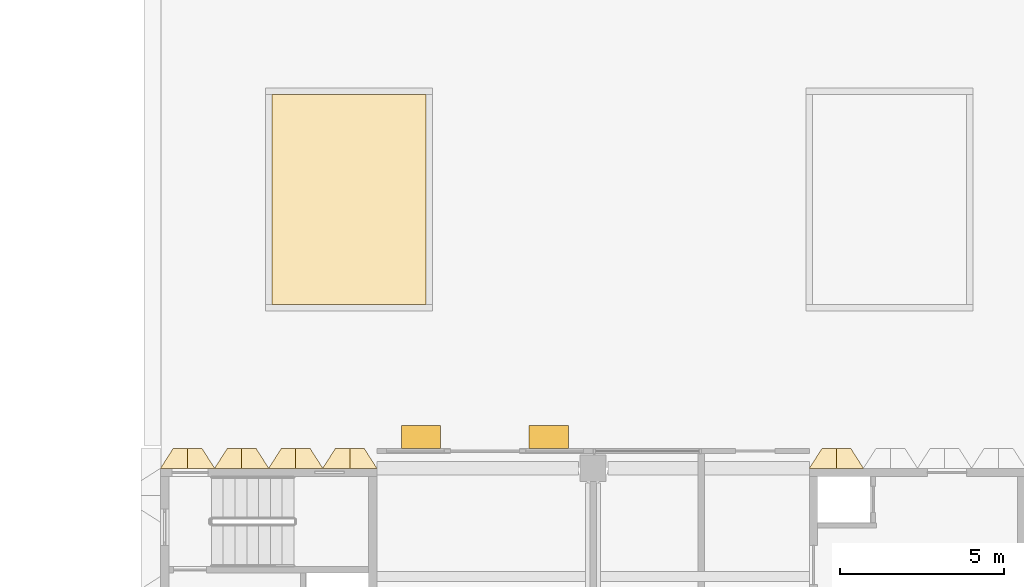
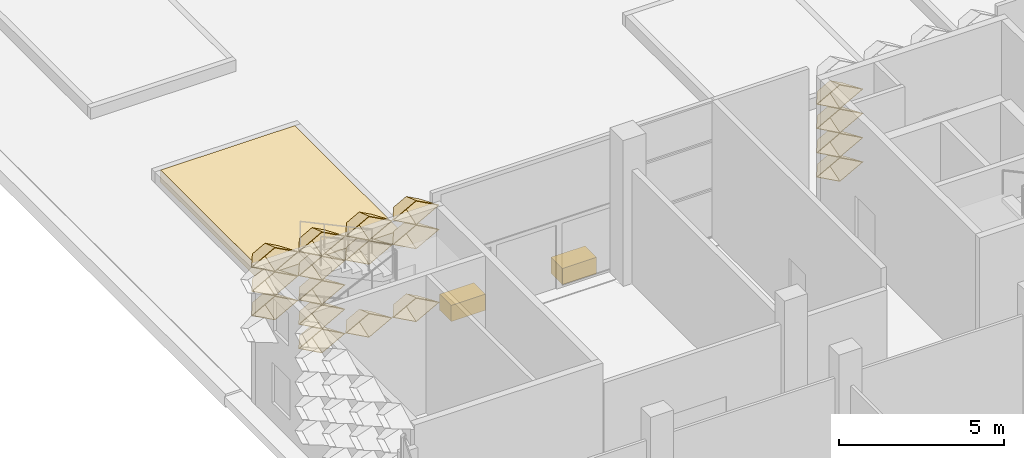
# One storey, part 52 of 85: 21 coverings.
"""IFC4 building model written with IfcOpenShell, lengths in metres."""

from ifc_helpers import new_model, entity, si_unit, direction, frame, origin, origin_2d, place, context, subcontext, project, spatial, polyline, rectangle, outline, extrude, material, layer, layer_set, type_object, element, save


model = new_model("IFC4")

# Units and contexts
model_context = context("Model", 3, precision=1e-05, world=origin(), true_north=direction((0.0, 1.0)))
body_context = subcontext(model_context, "Body", "Model", "MODEL_VIEW")
ifc_project = project(units=[si_unit("LENGTHUNIT", "METRE"), si_unit("AREAUNIT", "SQUARE_METRE"), si_unit("VOLUMEUNIT", "CUBIC_METRE"), si_unit("PLANEANGLEUNIT", "RADIAN"), si_unit("MASSUNIT", "GRAM", prefix="KILO")], contexts=[model_context])

# Site, building, storey
site_placement = place(None, origin())
site = spatial("IfcSite", under=ifc_project, at=site_placement, CompositionType="ELEMENT")
building_placement = place(site_placement, origin())
building = spatial("IfcBuilding", under=site, at=building_placement, Name="Lantern Court Research Institute", CompositionType="ELEMENT")
storey_placement = place(building_placement, origin())
storey = spatial("IfcBuildingStorey", under=building, at=storey_placement, Name="L00", CompositionType="ELEMENT", Elevation=0.0)

# Coverings
ifc_material_1 = material(Name="Glass fibre reinforced concrete cladding", Category="concrete")
ifc_layer_1 = layer(ifc_material_1, 0.699951171875)
ifc_layer_set_1 = layer_set([ifc_layer_1], Name="Glass fibre reinforced concrete cladding")
covering_type_1 = type_object("IfcCoveringType", Name="Entrance planter 700 glass fibre reinforced concrete", PredefinedType="CLADDING", material=ifc_layer_set_1)
for number, where, z_axis, x_axis, name in (
    (1, (7.949951171875, 24.050048828125, 0.0), (0.0, 0.0, 1.0), (1.0, 0.0, 0.0), "Entrance planter 7"),
    (2, (11.85009765625, 24.050048828125, 0.0), (0.0, 0.0, 1.0), (1.0, 0.0, 0.0), "Entrance planter 8"),
):
    element("IfcCovering", number, at=place(storey_placement, frame(where, z_axis=z_axis, x_axis=x_axis)), inside=storey, type_object=covering_type_1, Name=name, PredefinedType="CLADDING", context=body_context, shape_type="SweptSolid", body=[
        extrude(rectangle(XDim=1.199951171875, YDim=0.699951171875, at=origin_2d()), origin(), (0.0, 0.0, 1.0), 0.60009765625),
    ])
ifc_material_2 = material(Name="Anodised aluminium", Category="aluminium")
ifc_layer_2 = layer(ifc_material_2, 0.01611328125)
ifc_layer_set_2 = layer_set([ifc_layer_2], Name="Anodised aluminium")
covering_type_2 = type_object("IfcCoveringType", Name="Fin cassette 1650 x 900 x 600 aluminium", PredefinedType="CLADDING", material=ifc_layer_set_2)
covering_1_placement = place(storey_placement, frame((2.47509765625, 23.10009765625, 1.35009765625), z_axis=(0.0, 1.0, 0.0), x_axis=(-1.0, 0.0, 0.0)))
cartesian_point_1 = entity("IfcCartesianPoint", [0.824951171875, 0.0])
cartesian_point_2 = entity("IfcCartesianPoint", [0.79150390625, 0.0])
cartesian_point_3 = entity("IfcCartesianPoint", [0.44189453125, 0.0])
cartesian_point_4 = entity("IfcCartesianPoint", [0.43359375, 0.0])
element("IfcCovering", 3, at=covering_1_placement, inside=storey, type_object=covering_type_2, Name="Fin cassette V4N-L00 2.2", PredefinedType="CLADDING", context=body_context, shape_type="SweptSolid", body=[
    entity("IfcExtrudedAreaSolidTapered", entity("IfcArbitraryProfileDefWithVoids", "AREA", None, entity("IfcPolyline", [cartesian_point_1, entity("IfcCartesianPoint", [0.0, 0.449951171875]), entity("IfcCartesianPoint", [-0.824951171875, 0.0]), entity("IfcCartesianPoint", [0.0, -0.449951171875]), cartesian_point_1]), [entity("IfcPolyline", [cartesian_point_2, entity("IfcCartesianPoint", [0.0, 0.431884765625]), entity("IfcCartesianPoint", [-0.79150390625, 0.0]), entity("IfcCartesianPoint", [0.0, -0.431884765625]), cartesian_point_2])]), entity("IfcAxis2Placement3D", entity("IfcCartesianPoint", [0.0, 0.0, 0.0])), entity("IfcDirection", [0.0, 0.0, 1.0]), 0.60009765625, entity("IfcArbitraryProfileDefWithVoids", "AREA", None, entity("IfcPolyline", [cartesian_point_3, entity("IfcCartesianPoint", [0.0, 0.240966796875]), entity("IfcCartesianPoint", [-0.44189453125, 0.0]), entity("IfcCartesianPoint", [0.0, -0.240966796875]), cartesian_point_3]), [entity("IfcPolyline", [cartesian_point_4, entity("IfcCartesianPoint", [0.0, 0.236572265625]), entity("IfcCartesianPoint", [-0.43359375, 0.0]), entity("IfcCartesianPoint", [0.0, -0.236572265625]), cartesian_point_4])])),
])
covering_2_placement = place(storey_placement, frame((4.125, 23.10009765625, 1.35009765625), z_axis=(0.0, 1.0, 0.0), x_axis=(-1.0, 0.0, 0.0)))
cartesian_point_5 = entity("IfcCartesianPoint", [0.824951171875, 0.0])
cartesian_point_6 = entity("IfcCartesianPoint", [0.79150390625, 0.0])
cartesian_point_7 = entity("IfcCartesianPoint", [0.44189453125, 0.0])
cartesian_point_8 = entity("IfcCartesianPoint", [0.43359375, 0.0])
element("IfcCovering", 4, at=covering_2_placement, inside=storey, type_object=covering_type_2, Name="Fin cassette V4N-L00 2.3", PredefinedType="CLADDING", context=body_context, shape_type="SweptSolid", body=[
    entity("IfcExtrudedAreaSolidTapered", entity("IfcArbitraryProfileDefWithVoids", "AREA", None, entity("IfcPolyline", [cartesian_point_5, entity("IfcCartesianPoint", [0.0, 0.449951171875]), entity("IfcCartesianPoint", [-0.824951171875, 0.0]), entity("IfcCartesianPoint", [0.0, -0.449951171875]), cartesian_point_5]), [entity("IfcPolyline", [cartesian_point_6, entity("IfcCartesianPoint", [0.0, 0.431884765625]), entity("IfcCartesianPoint", [-0.79150390625, 0.0]), entity("IfcCartesianPoint", [0.0, -0.431884765625]), cartesian_point_6])]), entity("IfcAxis2Placement3D", entity("IfcCartesianPoint", [0.0, 0.0, 0.0])), entity("IfcDirection", [0.0, 0.0, 1.0]), 0.60009765625, entity("IfcArbitraryProfileDefWithVoids", "AREA", None, entity("IfcPolyline", [cartesian_point_7, entity("IfcCartesianPoint", [0.0, 0.240966796875]), entity("IfcCartesianPoint", [-0.44189453125, 0.0]), entity("IfcCartesianPoint", [0.0, -0.240966796875]), cartesian_point_7]), [entity("IfcPolyline", [cartesian_point_8, entity("IfcCartesianPoint", [0.0, 0.236572265625]), entity("IfcCartesianPoint", [-0.43359375, 0.0]), entity("IfcCartesianPoint", [0.0, -0.236572265625]), cartesian_point_8])])),
])
covering_3_placement = place(storey_placement, frame((5.77490234375, 23.10009765625, 1.35009765625), z_axis=(0.0, 1.0, 0.0), x_axis=(-1.0, 0.0, 0.0)))
cartesian_point_9 = entity("IfcCartesianPoint", [0.824951171875, 0.0])
cartesian_point_10 = entity("IfcCartesianPoint", [0.79150390625, 0.0])
cartesian_point_11 = entity("IfcCartesianPoint", [0.44189453125, 0.0])
cartesian_point_12 = entity("IfcCartesianPoint", [0.43359375, 0.0])
element("IfcCovering", 5, at=covering_3_placement, inside=storey, type_object=covering_type_2, Name="Fin cassette V4N-L00 2.4", PredefinedType="CLADDING", context=body_context, shape_type="SweptSolid", body=[
    entity("IfcExtrudedAreaSolidTapered", entity("IfcArbitraryProfileDefWithVoids", "AREA", None, entity("IfcPolyline", [cartesian_point_9, entity("IfcCartesianPoint", [0.0, 0.449951171875]), entity("IfcCartesianPoint", [-0.824951171875, 0.0]), entity("IfcCartesianPoint", [0.0, -0.449951171875]), cartesian_point_9]), [entity("IfcPolyline", [cartesian_point_10, entity("IfcCartesianPoint", [0.0, 0.431884765625]), entity("IfcCartesianPoint", [-0.79150390625, 0.0]), entity("IfcCartesianPoint", [0.0, -0.431884765625]), cartesian_point_10])]), entity("IfcAxis2Placement3D", entity("IfcCartesianPoint", [0.0, 0.0, 0.0])), entity("IfcDirection", [0.0, 0.0, 1.0]), 0.60009765625, entity("IfcArbitraryProfileDefWithVoids", "AREA", None, entity("IfcPolyline", [cartesian_point_11, entity("IfcCartesianPoint", [0.0, 0.240966796875]), entity("IfcCartesianPoint", [-0.44189453125, 0.0]), entity("IfcCartesianPoint", [0.0, -0.240966796875]), cartesian_point_11]), [entity("IfcPolyline", [cartesian_point_12, entity("IfcCartesianPoint", [0.0, 0.236572265625]), entity("IfcCartesianPoint", [-0.43359375, 0.0]), entity("IfcCartesianPoint", [0.0, -0.236572265625]), cartesian_point_12])])),
])
covering_4_placement = place(storey_placement, frame((2.47509765625, 23.10009765625, 2.25), z_axis=(0.0, 1.0, 0.0), x_axis=(-1.0, 0.0, 0.0)))
cartesian_point_13 = entity("IfcCartesianPoint", [0.824951171875, 0.0])
cartesian_point_14 = entity("IfcCartesianPoint", [0.79150390625, 0.0])
cartesian_point_15 = entity("IfcCartesianPoint", [0.44189453125, 0.0])
cartesian_point_16 = entity("IfcCartesianPoint", [0.43359375, 0.0])
element("IfcCovering", 6, at=covering_4_placement, inside=storey, type_object=covering_type_2, Name="Fin cassette V4N-L00 3.2", PredefinedType="CLADDING", context=body_context, shape_type="SweptSolid", body=[
    entity("IfcExtrudedAreaSolidTapered", entity("IfcArbitraryProfileDefWithVoids", "AREA", None, entity("IfcPolyline", [cartesian_point_13, entity("IfcCartesianPoint", [0.0, 0.449951171875]), entity("IfcCartesianPoint", [-0.824951171875, 0.0]), entity("IfcCartesianPoint", [0.0, -0.449951171875]), cartesian_point_13]), [entity("IfcPolyline", [cartesian_point_14, entity("IfcCartesianPoint", [0.0, 0.431884765625]), entity("IfcCartesianPoint", [-0.79150390625, 0.0]), entity("IfcCartesianPoint", [0.0, -0.431884765625]), cartesian_point_14])]), entity("IfcAxis2Placement3D", entity("IfcCartesianPoint", [0.0, 0.0, 0.0])), entity("IfcDirection", [0.0, 0.0, 1.0]), 0.60009765625, entity("IfcArbitraryProfileDefWithVoids", "AREA", None, entity("IfcPolyline", [cartesian_point_15, entity("IfcCartesianPoint", [0.0, 0.240966796875]), entity("IfcCartesianPoint", [-0.44189453125, 0.0]), entity("IfcCartesianPoint", [0.0, -0.240966796875]), cartesian_point_15]), [entity("IfcPolyline", [cartesian_point_16, entity("IfcCartesianPoint", [0.0, 0.236572265625]), entity("IfcCartesianPoint", [-0.43359375, 0.0]), entity("IfcCartesianPoint", [0.0, -0.236572265625]), cartesian_point_16])])),
])
covering_5_placement = place(storey_placement, frame((0.824951171875, 23.10009765625, 3.14990234375), z_axis=(0.0, 1.0, 0.0), x_axis=(-1.0, 0.0, 0.0)))
cartesian_point_17 = entity("IfcCartesianPoint", [0.824951171875, 0.0])
cartesian_point_18 = entity("IfcCartesianPoint", [0.79150390625, 0.0])
cartesian_point_19 = entity("IfcCartesianPoint", [0.44189453125, 0.0])
cartesian_point_20 = entity("IfcCartesianPoint", [0.43359375, 0.0])
element("IfcCovering", 7, at=covering_5_placement, inside=storey, type_object=covering_type_2, Name="Fin cassette V4N-L00 4.1", PredefinedType="CLADDING", context=body_context, shape_type="SweptSolid", body=[
    entity("IfcExtrudedAreaSolidTapered", entity("IfcArbitraryProfileDefWithVoids", "AREA", None, entity("IfcPolyline", [cartesian_point_17, entity("IfcCartesianPoint", [0.0, 0.449951171875]), entity("IfcCartesianPoint", [-0.824951171875, 0.0]), entity("IfcCartesianPoint", [0.0, -0.449951171875]), cartesian_point_17]), [entity("IfcPolyline", [cartesian_point_18, entity("IfcCartesianPoint", [0.0, 0.431884765625]), entity("IfcCartesianPoint", [-0.79150390625, 0.0]), entity("IfcCartesianPoint", [0.0, -0.431884765625]), cartesian_point_18])]), entity("IfcAxis2Placement3D", entity("IfcCartesianPoint", [0.0, 0.0, 0.0])), entity("IfcDirection", [0.0, 0.0, 1.0]), 0.60009765625, entity("IfcArbitraryProfileDefWithVoids", "AREA", None, entity("IfcPolyline", [cartesian_point_19, entity("IfcCartesianPoint", [0.0, 0.240966796875]), entity("IfcCartesianPoint", [-0.44189453125, 0.0]), entity("IfcCartesianPoint", [0.0, -0.240966796875]), cartesian_point_19]), [entity("IfcPolyline", [cartesian_point_20, entity("IfcCartesianPoint", [0.0, 0.236572265625]), entity("IfcCartesianPoint", [-0.43359375, 0.0]), entity("IfcCartesianPoint", [0.0, -0.236572265625]), cartesian_point_20])])),
])
covering_6_placement = place(storey_placement, frame((2.47509765625, 23.10009765625, 3.14990234375), z_axis=(0.0, 1.0, 0.0), x_axis=(-1.0, 0.0, 0.0)))
cartesian_point_21 = entity("IfcCartesianPoint", [0.824951171875, 0.0])
cartesian_point_22 = entity("IfcCartesianPoint", [0.79150390625, 0.0])
cartesian_point_23 = entity("IfcCartesianPoint", [0.44189453125, 0.0])
cartesian_point_24 = entity("IfcCartesianPoint", [0.43359375, 0.0])
element("IfcCovering", 8, at=covering_6_placement, inside=storey, type_object=covering_type_2, Name="Fin cassette V4N-L00 4.2", PredefinedType="CLADDING", context=body_context, shape_type="SweptSolid", body=[
    entity("IfcExtrudedAreaSolidTapered", entity("IfcArbitraryProfileDefWithVoids", "AREA", None, entity("IfcPolyline", [cartesian_point_21, entity("IfcCartesianPoint", [0.0, 0.449951171875]), entity("IfcCartesianPoint", [-0.824951171875, 0.0]), entity("IfcCartesianPoint", [0.0, -0.449951171875]), cartesian_point_21]), [entity("IfcPolyline", [cartesian_point_22, entity("IfcCartesianPoint", [0.0, 0.431884765625]), entity("IfcCartesianPoint", [-0.79150390625, 0.0]), entity("IfcCartesianPoint", [0.0, -0.431884765625]), cartesian_point_22])]), entity("IfcAxis2Placement3D", entity("IfcCartesianPoint", [0.0, 0.0, 0.0])), entity("IfcDirection", [0.0, 0.0, 1.0]), 0.60009765625, entity("IfcArbitraryProfileDefWithVoids", "AREA", None, entity("IfcPolyline", [cartesian_point_23, entity("IfcCartesianPoint", [0.0, 0.240966796875]), entity("IfcCartesianPoint", [-0.44189453125, 0.0]), entity("IfcCartesianPoint", [0.0, -0.240966796875]), cartesian_point_23]), [entity("IfcPolyline", [cartesian_point_24, entity("IfcCartesianPoint", [0.0, 0.236572265625]), entity("IfcCartesianPoint", [-0.43359375, 0.0]), entity("IfcCartesianPoint", [0.0, -0.236572265625]), cartesian_point_24])])),
])
covering_7_placement = place(storey_placement, frame((0.824951171875, 23.10009765625, 4.050048828125), z_axis=(0.0, 1.0, 0.0), x_axis=(-1.0, 0.0, 0.0)))
cartesian_point_25 = entity("IfcCartesianPoint", [0.824951171875, 0.0])
cartesian_point_26 = entity("IfcCartesianPoint", [0.79150390625, 0.0])
cartesian_point_27 = entity("IfcCartesianPoint", [0.44189453125, 0.0])
cartesian_point_28 = entity("IfcCartesianPoint", [0.43359375, 0.0])
element("IfcCovering", 9, at=covering_7_placement, inside=storey, type_object=covering_type_2, Name="Fin cassette V4N-L00 5.1", PredefinedType="CLADDING", context=body_context, shape_type="SweptSolid", body=[
    entity("IfcExtrudedAreaSolidTapered", entity("IfcArbitraryProfileDefWithVoids", "AREA", None, entity("IfcPolyline", [cartesian_point_25, entity("IfcCartesianPoint", [0.0, 0.449951171875]), entity("IfcCartesianPoint", [-0.824951171875, 0.0]), entity("IfcCartesianPoint", [0.0, -0.449951171875]), cartesian_point_25]), [entity("IfcPolyline", [cartesian_point_26, entity("IfcCartesianPoint", [0.0, 0.431884765625]), entity("IfcCartesianPoint", [-0.79150390625, 0.0]), entity("IfcCartesianPoint", [0.0, -0.431884765625]), cartesian_point_26])]), entity("IfcAxis2Placement3D", entity("IfcCartesianPoint", [0.0, 0.0, 0.0])), entity("IfcDirection", [0.0, 0.0, 1.0]), 0.60009765625, entity("IfcArbitraryProfileDefWithVoids", "AREA", None, entity("IfcPolyline", [cartesian_point_27, entity("IfcCartesianPoint", [0.0, 0.240966796875]), entity("IfcCartesianPoint", [-0.44189453125, 0.0]), entity("IfcCartesianPoint", [0.0, -0.240966796875]), cartesian_point_27]), [entity("IfcPolyline", [cartesian_point_28, entity("IfcCartesianPoint", [0.0, 0.236572265625]), entity("IfcCartesianPoint", [-0.43359375, 0.0]), entity("IfcCartesianPoint", [0.0, -0.236572265625]), cartesian_point_28])])),
])
covering_8_placement = place(storey_placement, frame((2.47509765625, 23.10009765625, 4.050048828125), z_axis=(0.0, 1.0, 0.0), x_axis=(-1.0, 0.0, 0.0)))
cartesian_point_29 = entity("IfcCartesianPoint", [0.824951171875, 0.0])
cartesian_point_30 = entity("IfcCartesianPoint", [0.79150390625, 0.0])
cartesian_point_31 = entity("IfcCartesianPoint", [0.44189453125, 0.0])
cartesian_point_32 = entity("IfcCartesianPoint", [0.43359375, 0.0])
element("IfcCovering", 10, at=covering_8_placement, inside=storey, type_object=covering_type_2, Name="Fin cassette V4N-L00 5.2", PredefinedType="CLADDING", context=body_context, shape_type="SweptSolid", body=[
    entity("IfcExtrudedAreaSolidTapered", entity("IfcArbitraryProfileDefWithVoids", "AREA", None, entity("IfcPolyline", [cartesian_point_29, entity("IfcCartesianPoint", [0.0, 0.449951171875]), entity("IfcCartesianPoint", [-0.824951171875, 0.0]), entity("IfcCartesianPoint", [0.0, -0.449951171875]), cartesian_point_29]), [entity("IfcPolyline", [cartesian_point_30, entity("IfcCartesianPoint", [0.0, 0.431884765625]), entity("IfcCartesianPoint", [-0.79150390625, 0.0]), entity("IfcCartesianPoint", [0.0, -0.431884765625]), cartesian_point_30])]), entity("IfcAxis2Placement3D", entity("IfcCartesianPoint", [0.0, 0.0, 0.0])), entity("IfcDirection", [0.0, 0.0, 1.0]), 0.60009765625, entity("IfcArbitraryProfileDefWithVoids", "AREA", None, entity("IfcPolyline", [cartesian_point_31, entity("IfcCartesianPoint", [0.0, 0.240966796875]), entity("IfcCartesianPoint", [-0.44189453125, 0.0]), entity("IfcCartesianPoint", [0.0, -0.240966796875]), cartesian_point_31]), [entity("IfcPolyline", [cartesian_point_32, entity("IfcCartesianPoint", [0.0, 0.236572265625]), entity("IfcCartesianPoint", [-0.43359375, 0.0]), entity("IfcCartesianPoint", [0.0, -0.236572265625]), cartesian_point_32])])),
])
covering_9_placement = place(storey_placement, frame((4.125, 23.10009765625, 4.050048828125), z_axis=(0.0, 1.0, 0.0), x_axis=(-1.0, 0.0, 0.0)))
cartesian_point_33 = entity("IfcCartesianPoint", [0.824951171875, 0.0])
cartesian_point_34 = entity("IfcCartesianPoint", [0.79150390625, 0.0])
cartesian_point_35 = entity("IfcCartesianPoint", [0.44189453125, 0.0])
cartesian_point_36 = entity("IfcCartesianPoint", [0.43359375, 0.0])
element("IfcCovering", 11, at=covering_9_placement, inside=storey, type_object=covering_type_2, Name="Fin cassette V4N-L00 5.3", PredefinedType="CLADDING", context=body_context, shape_type="SweptSolid", body=[
    entity("IfcExtrudedAreaSolidTapered", entity("IfcArbitraryProfileDefWithVoids", "AREA", None, entity("IfcPolyline", [cartesian_point_33, entity("IfcCartesianPoint", [0.0, 0.449951171875]), entity("IfcCartesianPoint", [-0.824951171875, 0.0]), entity("IfcCartesianPoint", [0.0, -0.449951171875]), cartesian_point_33]), [entity("IfcPolyline", [cartesian_point_34, entity("IfcCartesianPoint", [0.0, 0.431884765625]), entity("IfcCartesianPoint", [-0.79150390625, 0.0]), entity("IfcCartesianPoint", [0.0, -0.431884765625]), cartesian_point_34])]), entity("IfcAxis2Placement3D", entity("IfcCartesianPoint", [0.0, 0.0, 0.0])), entity("IfcDirection", [0.0, 0.0, 1.0]), 0.60009765625, entity("IfcArbitraryProfileDefWithVoids", "AREA", None, entity("IfcPolyline", [cartesian_point_35, entity("IfcCartesianPoint", [0.0, 0.240966796875]), entity("IfcCartesianPoint", [-0.44189453125, 0.0]), entity("IfcCartesianPoint", [0.0, -0.240966796875]), cartesian_point_35]), [entity("IfcPolyline", [cartesian_point_36, entity("IfcCartesianPoint", [0.0, 0.236572265625]), entity("IfcCartesianPoint", [-0.43359375, 0.0]), entity("IfcCartesianPoint", [0.0, -0.236572265625]), cartesian_point_36])])),
])
covering_10_placement = place(storey_placement, frame((5.77490234375, 23.10009765625, 4.050048828125), z_axis=(0.0, 1.0, 0.0), x_axis=(-1.0, 0.0, 0.0)))
cartesian_point_37 = entity("IfcCartesianPoint", [0.824951171875, 0.0])
cartesian_point_38 = entity("IfcCartesianPoint", [0.79150390625, 0.0])
cartesian_point_39 = entity("IfcCartesianPoint", [0.44189453125, 0.0])
cartesian_point_40 = entity("IfcCartesianPoint", [0.43359375, 0.0])
element("IfcCovering", 12, at=covering_10_placement, inside=storey, type_object=covering_type_2, Name="Fin cassette V4N-L00 5.4", PredefinedType="CLADDING", context=body_context, shape_type="SweptSolid", body=[
    entity("IfcExtrudedAreaSolidTapered", entity("IfcArbitraryProfileDefWithVoids", "AREA", None, entity("IfcPolyline", [cartesian_point_37, entity("IfcCartesianPoint", [0.0, 0.449951171875]), entity("IfcCartesianPoint", [-0.824951171875, 0.0]), entity("IfcCartesianPoint", [0.0, -0.449951171875]), cartesian_point_37]), [entity("IfcPolyline", [cartesian_point_38, entity("IfcCartesianPoint", [0.0, 0.431884765625]), entity("IfcCartesianPoint", [-0.79150390625, 0.0]), entity("IfcCartesianPoint", [0.0, -0.431884765625]), cartesian_point_38])]), entity("IfcAxis2Placement3D", entity("IfcCartesianPoint", [0.0, 0.0, 0.0])), entity("IfcDirection", [0.0, 0.0, 1.0]), 0.60009765625, entity("IfcArbitraryProfileDefWithVoids", "AREA", None, entity("IfcPolyline", [cartesian_point_39, entity("IfcCartesianPoint", [0.0, 0.240966796875]), entity("IfcCartesianPoint", [-0.44189453125, 0.0]), entity("IfcCartesianPoint", [0.0, -0.240966796875]), cartesian_point_39]), [entity("IfcPolyline", [cartesian_point_40, entity("IfcCartesianPoint", [0.0, 0.236572265625]), entity("IfcCartesianPoint", [-0.43359375, 0.0]), entity("IfcCartesianPoint", [0.0, -0.236572265625]), cartesian_point_40])])),
])
covering_11_placement = place(storey_placement, frame((0.824951171875, 23.10009765625, 4.949951171875), z_axis=(0.0, 1.0, 0.0), x_axis=(-1.0, 0.0, 0.0)))
cartesian_point_41 = entity("IfcCartesianPoint", [0.824951171875, 0.0])
cartesian_point_42 = entity("IfcCartesianPoint", [0.79150390625, 0.0])
cartesian_point_43 = entity("IfcCartesianPoint", [0.44189453125, 0.0])
cartesian_point_44 = entity("IfcCartesianPoint", [0.43359375, 0.0])
element("IfcCovering", 13, at=covering_11_placement, inside=storey, type_object=covering_type_2, Name="Fin cassette V4N-L00 6.1", PredefinedType="CLADDING", context=body_context, shape_type="SweptSolid", body=[
    entity("IfcExtrudedAreaSolidTapered", entity("IfcArbitraryProfileDefWithVoids", "AREA", None, entity("IfcPolyline", [cartesian_point_41, entity("IfcCartesianPoint", [0.0, 0.449951171875]), entity("IfcCartesianPoint", [-0.824951171875, 0.0]), entity("IfcCartesianPoint", [0.0, -0.449951171875]), cartesian_point_41]), [entity("IfcPolyline", [cartesian_point_42, entity("IfcCartesianPoint", [0.0, 0.431884765625]), entity("IfcCartesianPoint", [-0.79150390625, 0.0]), entity("IfcCartesianPoint", [0.0, -0.431884765625]), cartesian_point_42])]), entity("IfcAxis2Placement3D", entity("IfcCartesianPoint", [0.0, 0.0, 0.0])), entity("IfcDirection", [0.0, 0.0, 1.0]), 0.60009765625, entity("IfcArbitraryProfileDefWithVoids", "AREA", None, entity("IfcPolyline", [cartesian_point_43, entity("IfcCartesianPoint", [0.0, 0.240966796875]), entity("IfcCartesianPoint", [-0.44189453125, 0.0]), entity("IfcCartesianPoint", [0.0, -0.240966796875]), cartesian_point_43]), [entity("IfcPolyline", [cartesian_point_44, entity("IfcCartesianPoint", [0.0, 0.236572265625]), entity("IfcCartesianPoint", [-0.43359375, 0.0]), entity("IfcCartesianPoint", [0.0, -0.236572265625]), cartesian_point_44])])),
])
covering_12_placement = place(storey_placement, frame((2.47509765625, 23.10009765625, 4.949951171875), z_axis=(0.0, 1.0, 0.0), x_axis=(-1.0, 0.0, 0.0)))
cartesian_point_45 = entity("IfcCartesianPoint", [0.824951171875, 0.0])
cartesian_point_46 = entity("IfcCartesianPoint", [0.79150390625, 0.0])
cartesian_point_47 = entity("IfcCartesianPoint", [0.44189453125, 0.0])
cartesian_point_48 = entity("IfcCartesianPoint", [0.43359375, 0.0])
element("IfcCovering", 14, at=covering_12_placement, inside=storey, type_object=covering_type_2, Name="Fin cassette V4N-L00 6.2", PredefinedType="CLADDING", context=body_context, shape_type="SweptSolid", body=[
    entity("IfcExtrudedAreaSolidTapered", entity("IfcArbitraryProfileDefWithVoids", "AREA", None, entity("IfcPolyline", [cartesian_point_45, entity("IfcCartesianPoint", [0.0, 0.449951171875]), entity("IfcCartesianPoint", [-0.824951171875, 0.0]), entity("IfcCartesianPoint", [0.0, -0.449951171875]), cartesian_point_45]), [entity("IfcPolyline", [cartesian_point_46, entity("IfcCartesianPoint", [0.0, 0.431884765625]), entity("IfcCartesianPoint", [-0.79150390625, 0.0]), entity("IfcCartesianPoint", [0.0, -0.431884765625]), cartesian_point_46])]), entity("IfcAxis2Placement3D", entity("IfcCartesianPoint", [0.0, 0.0, 0.0])), entity("IfcDirection", [0.0, 0.0, 1.0]), 0.60009765625, entity("IfcArbitraryProfileDefWithVoids", "AREA", None, entity("IfcPolyline", [cartesian_point_47, entity("IfcCartesianPoint", [0.0, 0.240966796875]), entity("IfcCartesianPoint", [-0.44189453125, 0.0]), entity("IfcCartesianPoint", [0.0, -0.240966796875]), cartesian_point_47]), [entity("IfcPolyline", [cartesian_point_48, entity("IfcCartesianPoint", [0.0, 0.236572265625]), entity("IfcCartesianPoint", [-0.43359375, 0.0]), entity("IfcCartesianPoint", [0.0, -0.236572265625]), cartesian_point_48])])),
])
covering_13_placement = place(storey_placement, frame((4.125, 23.10009765625, 4.949951171875), z_axis=(0.0, 1.0, 0.0), x_axis=(-1.0, 0.0, 0.0)))
cartesian_point_49 = entity("IfcCartesianPoint", [0.824951171875, 0.0])
cartesian_point_50 = entity("IfcCartesianPoint", [0.79150390625, 0.0])
cartesian_point_51 = entity("IfcCartesianPoint", [0.44189453125, 0.0])
cartesian_point_52 = entity("IfcCartesianPoint", [0.43359375, 0.0])
element("IfcCovering", 15, at=covering_13_placement, inside=storey, type_object=covering_type_2, Name="Fin cassette V4N-L00 6.3", PredefinedType="CLADDING", context=body_context, shape_type="SweptSolid", body=[
    entity("IfcExtrudedAreaSolidTapered", entity("IfcArbitraryProfileDefWithVoids", "AREA", None, entity("IfcPolyline", [cartesian_point_49, entity("IfcCartesianPoint", [0.0, 0.449951171875]), entity("IfcCartesianPoint", [-0.824951171875, 0.0]), entity("IfcCartesianPoint", [0.0, -0.449951171875]), cartesian_point_49]), [entity("IfcPolyline", [cartesian_point_50, entity("IfcCartesianPoint", [0.0, 0.431884765625]), entity("IfcCartesianPoint", [-0.79150390625, 0.0]), entity("IfcCartesianPoint", [0.0, -0.431884765625]), cartesian_point_50])]), entity("IfcAxis2Placement3D", entity("IfcCartesianPoint", [0.0, 0.0, 0.0])), entity("IfcDirection", [0.0, 0.0, 1.0]), 0.60009765625, entity("IfcArbitraryProfileDefWithVoids", "AREA", None, entity("IfcPolyline", [cartesian_point_51, entity("IfcCartesianPoint", [0.0, 0.240966796875]), entity("IfcCartesianPoint", [-0.44189453125, 0.0]), entity("IfcCartesianPoint", [0.0, -0.240966796875]), cartesian_point_51]), [entity("IfcPolyline", [cartesian_point_52, entity("IfcCartesianPoint", [0.0, 0.236572265625]), entity("IfcCartesianPoint", [-0.43359375, 0.0]), entity("IfcCartesianPoint", [0.0, -0.236572265625]), cartesian_point_52])])),
])
covering_14_placement = place(storey_placement, frame((5.77490234375, 23.10009765625, 4.949951171875), z_axis=(0.0, 1.0, 0.0), x_axis=(-1.0, 0.0, 0.0)))
cartesian_point_53 = entity("IfcCartesianPoint", [0.824951171875, 0.0])
cartesian_point_54 = entity("IfcCartesianPoint", [0.79150390625, 0.0])
cartesian_point_55 = entity("IfcCartesianPoint", [0.44189453125, 0.0])
cartesian_point_56 = entity("IfcCartesianPoint", [0.43359375, 0.0])
element("IfcCovering", 16, at=covering_14_placement, inside=storey, type_object=covering_type_2, Name="Fin cassette V4N-L00 6.4", PredefinedType="CLADDING", context=body_context, shape_type="SweptSolid", body=[
    entity("IfcExtrudedAreaSolidTapered", entity("IfcArbitraryProfileDefWithVoids", "AREA", None, entity("IfcPolyline", [cartesian_point_53, entity("IfcCartesianPoint", [0.0, 0.449951171875]), entity("IfcCartesianPoint", [-0.824951171875, 0.0]), entity("IfcCartesianPoint", [0.0, -0.449951171875]), cartesian_point_53]), [entity("IfcPolyline", [cartesian_point_54, entity("IfcCartesianPoint", [0.0, 0.431884765625]), entity("IfcCartesianPoint", [-0.79150390625, 0.0]), entity("IfcCartesianPoint", [0.0, -0.431884765625]), cartesian_point_54])]), entity("IfcAxis2Placement3D", entity("IfcCartesianPoint", [0.0, 0.0, 0.0])), entity("IfcDirection", [0.0, 0.0, 1.0]), 0.60009765625, entity("IfcArbitraryProfileDefWithVoids", "AREA", None, entity("IfcPolyline", [cartesian_point_55, entity("IfcCartesianPoint", [0.0, 0.240966796875]), entity("IfcCartesianPoint", [-0.44189453125, 0.0]), entity("IfcCartesianPoint", [0.0, -0.240966796875]), cartesian_point_55]), [entity("IfcPolyline", [cartesian_point_56, entity("IfcCartesianPoint", [0.0, 0.236572265625]), entity("IfcCartesianPoint", [-0.43359375, 0.0]), entity("IfcCartesianPoint", [0.0, -0.236572265625]), cartesian_point_56])])),
])
covering_15_placement = place(storey_placement, frame((20.625, 23.10009765625, 1.35009765625), z_axis=(0.0, 1.0, 0.0), x_axis=(-1.0, 0.0, 0.0)))
cartesian_point_57 = entity("IfcCartesianPoint", [0.824951171875, 0.0])
cartesian_point_58 = entity("IfcCartesianPoint", [0.79150390625, 0.0])
cartesian_point_59 = entity("IfcCartesianPoint", [0.44189453125, 0.0])
cartesian_point_60 = entity("IfcCartesianPoint", [0.43359375, 0.0])
element("IfcCovering", 17, at=covering_15_placement, inside=storey, type_object=covering_type_2, Name="Fin cassette V4N-L00 2.13", PredefinedType="CLADDING", context=body_context, shape_type="SweptSolid", body=[
    entity("IfcExtrudedAreaSolidTapered", entity("IfcArbitraryProfileDefWithVoids", "AREA", None, entity("IfcPolyline", [cartesian_point_57, entity("IfcCartesianPoint", [0.0, 0.449951171875]), entity("IfcCartesianPoint", [-0.824951171875, 0.0]), entity("IfcCartesianPoint", [0.0, -0.449951171875]), cartesian_point_57]), [entity("IfcPolyline", [cartesian_point_58, entity("IfcCartesianPoint", [0.0, 0.431884765625]), entity("IfcCartesianPoint", [-0.79150390625, 0.0]), entity("IfcCartesianPoint", [0.0, -0.431884765625]), cartesian_point_58])]), entity("IfcAxis2Placement3D", entity("IfcCartesianPoint", [0.0, 0.0, 0.0])), entity("IfcDirection", [0.0, 0.0, 1.0]), 0.60009765625, entity("IfcArbitraryProfileDefWithVoids", "AREA", None, entity("IfcPolyline", [cartesian_point_59, entity("IfcCartesianPoint", [0.0, 0.240966796875]), entity("IfcCartesianPoint", [-0.44189453125, 0.0]), entity("IfcCartesianPoint", [0.0, -0.240966796875]), cartesian_point_59]), [entity("IfcPolyline", [cartesian_point_60, entity("IfcCartesianPoint", [0.0, 0.236572265625]), entity("IfcCartesianPoint", [-0.43359375, 0.0]), entity("IfcCartesianPoint", [0.0, -0.236572265625]), cartesian_point_60])])),
])
covering_16_placement = place(storey_placement, frame((20.625, 23.10009765625, 2.25), z_axis=(0.0, 1.0, 0.0), x_axis=(-1.0, 0.0, 0.0)))
cartesian_point_61 = entity("IfcCartesianPoint", [0.824951171875, 0.0])
cartesian_point_62 = entity("IfcCartesianPoint", [0.79150390625, 0.0])
cartesian_point_63 = entity("IfcCartesianPoint", [0.44189453125, 0.0])
cartesian_point_64 = entity("IfcCartesianPoint", [0.43359375, 0.0])
element("IfcCovering", 18, at=covering_16_placement, inside=storey, type_object=covering_type_2, Name="Fin cassette V4N-L00 3.13", PredefinedType="CLADDING", context=body_context, shape_type="SweptSolid", body=[
    entity("IfcExtrudedAreaSolidTapered", entity("IfcArbitraryProfileDefWithVoids", "AREA", None, entity("IfcPolyline", [cartesian_point_61, entity("IfcCartesianPoint", [0.0, 0.449951171875]), entity("IfcCartesianPoint", [-0.824951171875, 0.0]), entity("IfcCartesianPoint", [0.0, -0.449951171875]), cartesian_point_61]), [entity("IfcPolyline", [cartesian_point_62, entity("IfcCartesianPoint", [0.0, 0.431884765625]), entity("IfcCartesianPoint", [-0.79150390625, 0.0]), entity("IfcCartesianPoint", [0.0, -0.431884765625]), cartesian_point_62])]), entity("IfcAxis2Placement3D", entity("IfcCartesianPoint", [0.0, 0.0, 0.0])), entity("IfcDirection", [0.0, 0.0, 1.0]), 0.60009765625, entity("IfcArbitraryProfileDefWithVoids", "AREA", None, entity("IfcPolyline", [cartesian_point_63, entity("IfcCartesianPoint", [0.0, 0.240966796875]), entity("IfcCartesianPoint", [-0.44189453125, 0.0]), entity("IfcCartesianPoint", [0.0, -0.240966796875]), cartesian_point_63]), [entity("IfcPolyline", [cartesian_point_64, entity("IfcCartesianPoint", [0.0, 0.236572265625]), entity("IfcCartesianPoint", [-0.43359375, 0.0]), entity("IfcCartesianPoint", [0.0, -0.236572265625]), cartesian_point_64])])),
])
covering_17_placement = place(storey_placement, frame((20.625, 23.10009765625, 3.14990234375), z_axis=(0.0, 1.0, 0.0), x_axis=(-1.0, 0.0, 0.0)))
cartesian_point_65 = entity("IfcCartesianPoint", [0.824951171875, 0.0])
cartesian_point_66 = entity("IfcCartesianPoint", [0.79150390625, 0.0])
cartesian_point_67 = entity("IfcCartesianPoint", [0.44189453125, 0.0])
cartesian_point_68 = entity("IfcCartesianPoint", [0.43359375, 0.0])
element("IfcCovering", 19, at=covering_17_placement, inside=storey, type_object=covering_type_2, Name="Fin cassette V4N-L00 4.13", PredefinedType="CLADDING", context=body_context, shape_type="SweptSolid", body=[
    entity("IfcExtrudedAreaSolidTapered", entity("IfcArbitraryProfileDefWithVoids", "AREA", None, entity("IfcPolyline", [cartesian_point_65, entity("IfcCartesianPoint", [0.0, 0.449951171875]), entity("IfcCartesianPoint", [-0.824951171875, 0.0]), entity("IfcCartesianPoint", [0.0, -0.449951171875]), cartesian_point_65]), [entity("IfcPolyline", [cartesian_point_66, entity("IfcCartesianPoint", [0.0, 0.431884765625]), entity("IfcCartesianPoint", [-0.79150390625, 0.0]), entity("IfcCartesianPoint", [0.0, -0.431884765625]), cartesian_point_66])]), entity("IfcAxis2Placement3D", entity("IfcCartesianPoint", [0.0, 0.0, 0.0])), entity("IfcDirection", [0.0, 0.0, 1.0]), 0.60009765625, entity("IfcArbitraryProfileDefWithVoids", "AREA", None, entity("IfcPolyline", [cartesian_point_67, entity("IfcCartesianPoint", [0.0, 0.240966796875]), entity("IfcCartesianPoint", [-0.44189453125, 0.0]), entity("IfcCartesianPoint", [0.0, -0.240966796875]), cartesian_point_67]), [entity("IfcPolyline", [cartesian_point_68, entity("IfcCartesianPoint", [0.0, 0.236572265625]), entity("IfcCartesianPoint", [-0.43359375, 0.0]), entity("IfcCartesianPoint", [0.0, -0.236572265625]), cartesian_point_68])])),
])
covering_18_placement = place(storey_placement, frame((20.625, 23.10009765625, 4.050048828125), z_axis=(0.0, 1.0, 0.0), x_axis=(-1.0, 0.0, 0.0)))
cartesian_point_69 = entity("IfcCartesianPoint", [0.824951171875, 0.0])
cartesian_point_70 = entity("IfcCartesianPoint", [0.79150390625, 0.0])
cartesian_point_71 = entity("IfcCartesianPoint", [0.44189453125, 0.0])
cartesian_point_72 = entity("IfcCartesianPoint", [0.43359375, 0.0])
element("IfcCovering", 20, at=covering_18_placement, inside=storey, type_object=covering_type_2, Name="Fin cassette V4N-L00 5.13", PredefinedType="CLADDING", context=body_context, shape_type="SweptSolid", body=[
    entity("IfcExtrudedAreaSolidTapered", entity("IfcArbitraryProfileDefWithVoids", "AREA", None, entity("IfcPolyline", [cartesian_point_69, entity("IfcCartesianPoint", [0.0, 0.449951171875]), entity("IfcCartesianPoint", [-0.824951171875, 0.0]), entity("IfcCartesianPoint", [0.0, -0.449951171875]), cartesian_point_69]), [entity("IfcPolyline", [cartesian_point_70, entity("IfcCartesianPoint", [0.0, 0.431884765625]), entity("IfcCartesianPoint", [-0.79150390625, 0.0]), entity("IfcCartesianPoint", [0.0, -0.431884765625]), cartesian_point_70])]), entity("IfcAxis2Placement3D", entity("IfcCartesianPoint", [0.0, 0.0, 0.0])), entity("IfcDirection", [0.0, 0.0, 1.0]), 0.60009765625, entity("IfcArbitraryProfileDefWithVoids", "AREA", None, entity("IfcPolyline", [cartesian_point_71, entity("IfcCartesianPoint", [0.0, 0.240966796875]), entity("IfcCartesianPoint", [-0.44189453125, 0.0]), entity("IfcCartesianPoint", [0.0, -0.240966796875]), cartesian_point_71]), [entity("IfcPolyline", [cartesian_point_72, entity("IfcCartesianPoint", [0.0, 0.236572265625]), entity("IfcCartesianPoint", [-0.43359375, 0.0]), entity("IfcCartesianPoint", [0.0, -0.236572265625]), cartesian_point_72])])),
])
ifc_material_3 = material(Name="Planting soil")
ifc_layer_3 = layer(ifc_material_3, 0.449951171875)
ifc_layer_set_3 = layer_set([ifc_layer_3], Name="Planting soil")
covering_type_3 = type_object("IfcCoveringType", Name="Planting soil 450 mm", PredefinedType="FLOORING", material=ifc_layer_set_3)
covering_19_placement = place(storey_placement, origin())
element("IfcCovering", 21, at=covering_19_placement, inside=storey, type_object=covering_type_3, Name="Planting bed court 1", PredefinedType="FLOORING", context=body_context, shape_type="SweptSolid", body=[
    extrude(outline(polyline([(3.39990234375, 28.10009765625), (8.10009765625, 28.10009765625), (8.10009765625, 34.5), (3.39990234375, 34.5), (3.39990234375, 28.10009765625)])), origin(), (0.0, 0.0, 1.0), 0.449951171875),
])

save(model, "model.ifc")
